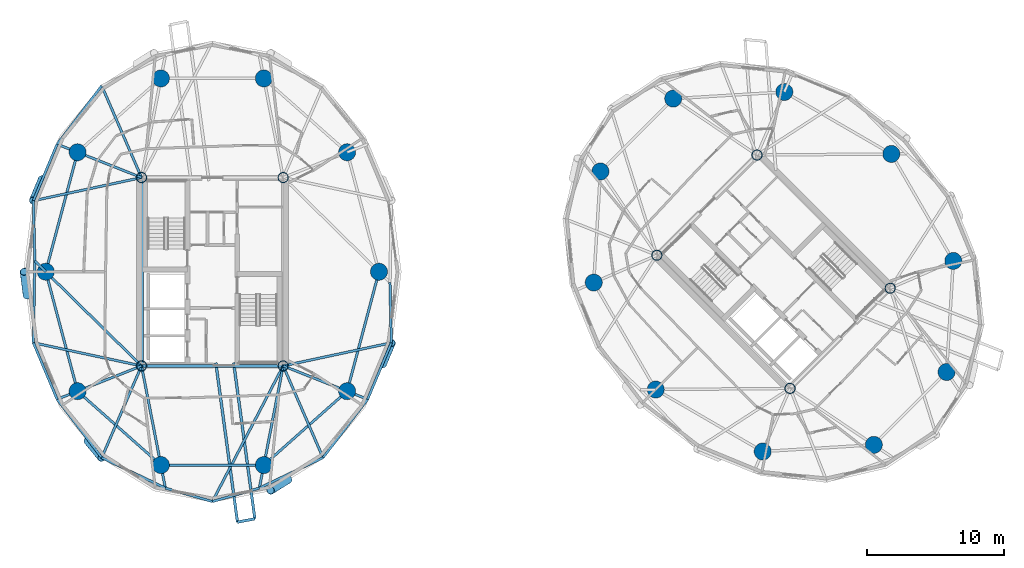
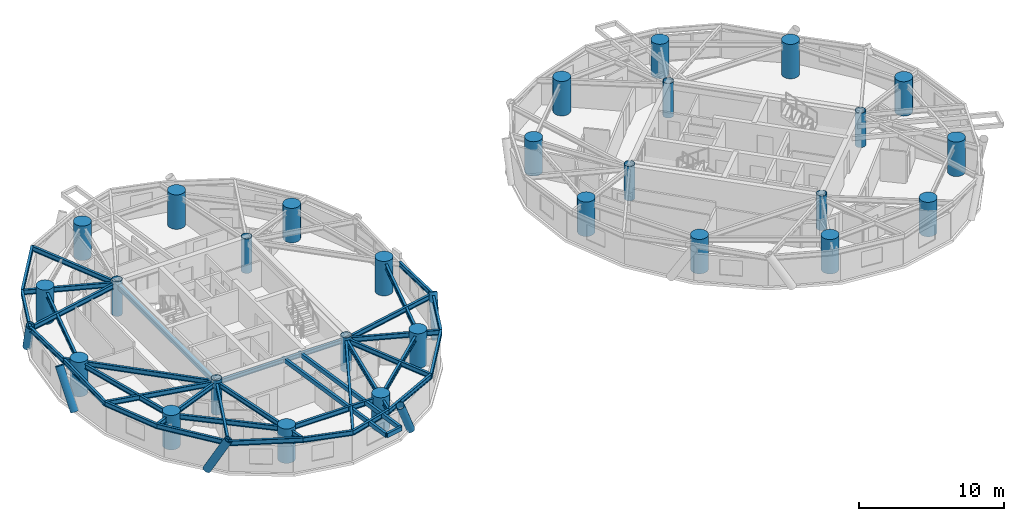
# One storey, part 1 of 17: 38 beams, 28 columns, 5 members.
"""IFC4 building model written with IfcOpenShell, lengths in metres."""

from ifc_helpers import new_model, si_unit, direction, frame, origin, origin_2d, place, context, subcontext, project, spatial, hollow_rectangle, circle, hollow_circle, i_section, extrude, material, material_profile, profile_set, type_object, element, save


model = new_model("IFC4")

# Units and contexts
model_context = context("Model", 3, precision=1e-05, world=origin(), true_north=direction((0.0, 1.0)))
body_context = subcontext(model_context, "Body", "Model", "MODEL_VIEW")
ifc_project = project(units=[si_unit("LENGTHUNIT", "METRE"), si_unit("AREAUNIT", "SQUARE_METRE"), si_unit("VOLUMEUNIT", "CUBIC_METRE"), si_unit("PLANEANGLEUNIT", "RADIAN"), si_unit("MASSUNIT", "GRAM", prefix="KILO")], contexts=[model_context])

# Site, building, storey
site_placement = place(None, origin())
site = spatial("IfcSite", under=ifc_project, at=site_placement, CompositionType="ELEMENT")
building_placement = place(site_placement, origin())
building = spatial("IfcBuilding", under=site, at=building_placement, Name="Cununo Teusaquillo Station Towers", CompositionType="ELEMENT")
storey_placement = place(building_placement, frame((0.0, 0.0, 183.610107421875)))
storey = spatial("IfcBuildingStorey", under=building, at=storey_placement, Name="L58", CompositionType="ELEMENT", Elevation=183.610107421875)

# Columns
ifc_material_1 = material(Name="Steel EN 10025-2 S355J2", Category="steel")
ifc_material_profile_1 = material_profile(ifc_material_1, hollow_circle(Radius=0.3798828125, WallThickness=0.031982421875, at=origin_2d()), Name="CHS 760x32")
ifc_profile_set_1 = profile_set([ifc_material_profile_1], Name="Steel EN 10025-2 S355J2")
column_type_1 = type_object("IfcColumnType", Name="COL-CORE-Z2", PredefinedType="COLUMN", material=ifc_profile_set_1)
for number, where, z_axis, x_axis, name in (
    (1, (11.324951171875, 17.6201171875, 0.0), (0.0, 0.0, 1.0), (1.0, 0.0, 0.0), "L58 Tower A Core Column 1"),
    (2, (11.324951171875, 31.3798828125, 0.0), (0.0, 0.0, 1.0), (1.0, 0.0, 0.0), "L58 Tower A Core Column 2"),
    (3, (21.675048828125, 17.6201171875, 0.0), (0.0, 0.0, 1.0), (1.0, 0.0, 0.0), "L58 Tower A Core Column 3"),
    (4, (21.675048828125, 31.3798828125, 0.0), (0.0, 0.0, 1.0), (1.0, 0.0, 0.0), "L58 Tower A Core Column 4"),
    (5, (58.70556640625, 15.975830078125, 0.0), (0.0, 0.0, 1.0), (0.707106781187, 0.707106781187, 0.0), "L58 Tower B Core Column 1"),
    (6, (48.975830078125, 25.70556640625, 0.0), (0.0, 0.0, 1.0), (0.707106781187, 0.707106781187, 0.0), "L58 Tower B Core Column 2"),
    (7, (66.024169921875, 23.29443359375, 0.0), (0.0, 0.0, 1.0), (0.707106781187, 0.707106781187, 0.0), "L58 Tower B Core Column 3"),
    (8, (56.29443359375, 33.024169921875, 0.0), (0.0, 0.0, 1.0), (0.707106781187, 0.707106781187, 0.0), "L58 Tower B Core Column 4"),
):
    element("IfcColumn", number, at=place(storey_placement, frame(where, z_axis=z_axis, x_axis=x_axis)), inside=storey, type_object=column_type_1, Name=name, PredefinedType="COLUMN", context=body_context, shape_type="SweptSolid", body=[
        extrude(hollow_circle(Radius=0.3798828125, WallThickness=0.031982421875, at=origin_2d()), origin(), (0.0, 0.0, 1.0), 2.909912109375),
    ])
ifc_material_2 = material(Name="Concrete C60/75", Category="concrete")
ifc_material_profile_2 = material_profile(ifc_material_2, circle(Radius=0.625, at=origin_2d()), Name="RC-CIRC-1250")
ifc_profile_set_2 = profile_set([ifc_material_profile_2], Name="Concrete C60/75")
column_type_2 = type_object("IfcColumnType", Name="COL-MEGA-Z3", PredefinedType="USERDEFINED", material=ifc_profile_set_2)
for number, where, z_axis, x_axis, name in (
    (9, (28.672119140625, 24.5, 0.0), (0.0, 0.0, 1.0), (1.0, 0.0, 0.0), "L58 Tower A Perimeter Column V00"),
    (10, (26.347412109375, 33.228515625, 0.0), (0.0, 0.0, 1.0), (1.0, 0.0, 0.0), "L58 Tower A Perimeter Column V02"),
    (11, (20.261474609375, 38.623291015625, 0.0), (0.0, 0.0, 1.0), (1.0, 0.0, 0.0), "L58 Tower A Perimeter Column V04"),
    (12, (12.738525390625, 38.623291015625, 0.0), (0.0, 0.0, 1.0), (1.0, 0.0, 0.0), "L58 Tower A Perimeter Column V06"),
    (13, (6.652587890625, 33.228515625, 0.0), (0.0, 0.0, 1.0), (1.0, 0.0, 0.0), "L58 Tower A Perimeter Column V08"),
    (14, (4.327880859375, 24.5, 0.0), (0.0, 0.0, 1.0), (1.0, 0.0, 0.0), "L58 Tower A Perimeter Column V10"),
    (15, (6.652587890625, 15.771484375, 0.0), (0.0, 0.0, 1.0), (1.0, 0.0, 0.0), "L58 Tower A Perimeter Column V12"),
    (16, (12.738525390625, 10.376708984375, 0.0), (0.0, 0.0, 1.0), (1.0, 0.0, 0.0), "L58 Tower A Perimeter Column V14"),
    (17, (20.261474609375, 10.376708984375, 0.0), (0.0, 0.0, 1.0), (1.0, 0.0, 0.0), "L58 Tower A Perimeter Column V16"),
    (18, (26.347412109375, 15.771484375, 0.0), (0.0, 0.0, 1.0), (1.0, 0.0, 0.0), "L58 Tower A Perimeter Column V18"),
    (19, (66.10693359375, 33.10693359375, 0.0), (0.0, 0.0, 1.0), (1.0, 0.0, 0.0), "L58 Tower B Perimeter Column V00"),
    (20, (58.291015625, 37.63525390625, 0.0), (0.0, 0.0, 1.0), (1.0, 0.0, 0.0), "L58 Tower B Perimeter Column V02"),
    (21, (50.173095703125, 37.146240234375, 0.0), (0.0, 0.0, 1.0), (1.0, 0.0, 0.0), "L58 Tower B Perimeter Column V04"),
    (22, (44.853759765625, 31.826904296875, 0.0), (0.0, 0.0, 1.0), (1.0, 0.0, 0.0), "L58 Tower B Perimeter Column V06"),
    (23, (44.36474609375, 23.708984375, 0.0), (0.0, 0.0, 1.0), (1.0, 0.0, 0.0), "L58 Tower B Perimeter Column V08"),
    (24, (48.89306640625, 15.89306640625, 0.0), (0.0, 0.0, 1.0), (1.0, 0.0, 0.0), "L58 Tower B Perimeter Column V10"),
    (25, (56.708984375, 11.36474609375, 0.0), (0.0, 0.0, 1.0), (1.0, 0.0, 0.0), "L58 Tower B Perimeter Column V12"),
    (26, (64.826904296875, 11.853759765625, 0.0), (0.0, 0.0, 1.0), (1.0, 0.0, 0.0), "L58 Tower B Perimeter Column V14"),
    (27, (70.146240234375, 17.173095703125, 0.0), (0.0, 0.0, 1.0), (1.0, 0.0, 0.0), "L58 Tower B Perimeter Column V16"),
    (28, (70.63525390625, 25.291015625, 0.0), (0.0, 0.0, 1.0), (1.0, 0.0, 0.0), "L58 Tower B Perimeter Column V18"),
):
    element("IfcColumn", number, at=place(storey_placement, frame(where, z_axis=z_axis, x_axis=x_axis)), inside=storey, type_object=column_type_2, Name=name, ObjectType="MEGA COLUMN", PredefinedType="USERDEFINED", context=body_context, shape_type="SweptSolid", body=[
        extrude(circle(Radius=0.625, at=origin_2d()), origin(), (0.0, 0.0, 1.0), 2.909912109375),
    ])

# Beams
ifc_material_3 = material(Name="Steel EN 10025-2 S355J2", Category="steel")
ifc_material_profile_3 = material_profile(ifc_material_3, hollow_rectangle(XDim=0.199951171875, YDim=0.35009765625, WallThickness=0.013916015625, at=origin_2d()), Name="RHS 350x200x14")
ifc_profile_set_3 = profile_set([ifc_material_profile_3], Name="Steel EN 10025-2 S355J2")
beam_type_1 = type_object("IfcBeamType", Name="BM-BAL-CANT", PredefinedType="BEAM", material=ifc_profile_set_3)
beam_1_placement = place(storey_placement, frame((16.751953125, 17.85009765625, 2.514892578125), z_axis=(0.134615370715, -0.990897927118, 0.0), x_axis=(0.990897927118, 0.134615370715, 0.0)))
element("IfcBeam", 29, at=beam_1_placement, inside=storey, type_object=beam_type_1, Name="L58 Tower A Balcony Cantilever Bracket 2A", PredefinedType="BEAM", context=body_context, shape_type="SweptSolid", body=[
    extrude(hollow_rectangle(XDim=0.199951171875, YDim=0.35009765625, WallThickness=0.013916015625, at=origin_2d()), origin(), (0.0, 0.0, 1.0), 11.752197265625),
])
beam_2_placement = place(storey_placement, frame((18.05517578125, 17.85009765625, 2.514892578125), z_axis=(0.134626438315, -0.990896423501, 0.0), x_axis=(0.990896423501, 0.134626438315, 0.0)))
element("IfcBeam", 30, at=beam_2_placement, inside=storey, type_object=beam_type_1, Name="L58 Tower A Balcony Cantilever Bracket 2B", PredefinedType="BEAM", context=body_context, shape_type="SweptSolid", body=[
    extrude(hollow_rectangle(XDim=0.199951171875, YDim=0.35009765625, WallThickness=0.013916015625, at=origin_2d()), origin(), (0.0, 0.0, 1.0), 11.504638671875),
])
ifc_material_4 = material(Name="Steel EN 10025-2 S355J2", Category="steel")
ifc_material_profile_4 = material_profile(ifc_material_4, hollow_rectangle(XDim=0.25, YDim=0.449951171875, WallThickness=0.01611328125, at=origin_2d()), Name="RHS 450x250x16")
ifc_profile_set_4 = profile_set([ifc_material_profile_4], Name="Steel EN 10025-2 S355J2")
beam_type_2 = type_object("IfcBeamType", Name="BM-COUP-1", PredefinedType="USERDEFINED", material=ifc_profile_set_4)
beam_3_placement = place(storey_placement, frame((11.324951171875, 17.6201171875, 2.46484375), z_axis=(0.0, 1.0, 0.0), x_axis=(-1.0, 0.0, 0.0)))
element("IfcBeam", 31, at=beam_3_placement, inside=storey, type_object=beam_type_2, Name="L58 Tower A Core Beam 1", ObjectType="COUPLING BEAM", PredefinedType="USERDEFINED", context=body_context, shape_type="SweptSolid", body=[
    extrude(hollow_rectangle(XDim=0.25, YDim=0.449951171875, WallThickness=0.01611328125, at=origin_2d()), origin(), (0.0, 0.0, 1.0), 13.759765625),
])
ifc_material_5 = material(Name="Steel ASTM A572 Grade 50", Category="steel")
ifc_material_profile_5 = material_profile(ifc_material_5, i_section(OverallWidth=0.180908203125, OverallDepth=0.4169921875, WebThickness=0.010986328125, FlangeThickness=0.018310546875, FilletRadius=0.012939453125, at=origin_2d()), Name="W16X57")
ifc_profile_set_5 = profile_set([ifc_material_profile_5], Name="Steel ASTM A572 Grade 50")
beam_type_3 = type_object("IfcBeamType", Name="BM-JOIST-1", PredefinedType="JOIST", material=ifc_profile_set_5)
beam_4_placement = place(storey_placement, frame((11.324951171875, 31.3798828125, 2.4814453125), z_axis=(-0.397903718051, 0.917427180304, 0.0), x_axis=(-0.917427180304, -0.397903718051, 0.0)))
element("IfcBeam", 32, at=beam_4_placement, inside=storey, type_object=beam_type_3, Name="L58 Tower A Radial Spandrel Joist V07", PredefinedType="JOIST", context=body_context, shape_type="SweptSolid", body=[
    extrude(i_section(OverallWidth=0.180908203125, OverallDepth=0.4169921875, WebThickness=0.010986328125, FlangeThickness=0.018310546875, FilletRadius=0.012939453125, at=origin_2d()), origin(), (0.0, 0.0, 1.0), 7.306884765625),
])
for number, where, z_axis, x_axis, name in (
    (33, (11.324951171875, 31.3798828125, 2.4814453125), (-0.977854548984, -0.209285644589, 0.0), (0.209285644589, -0.977854548984, 0.0), "L58 Tower A Radial Spandrel Joist V09"),
    (34, (11.324951171875, 17.6201171875, 2.4814453125), (-0.977854548984, 0.209285644589, 0.0), (-0.209285644589, -0.977854548984, 0.0), "L58 Tower A Radial Spandrel Joist V11"),
):
    element("IfcBeam", number, at=place(storey_placement, frame(where, z_axis=z_axis, x_axis=x_axis)), inside=storey, type_object=beam_type_3, Name=name, PredefinedType="JOIST", context=body_context, shape_type="SweptSolid", body=[
        extrude(i_section(OverallWidth=0.180908203125, OverallDepth=0.4169921875, WebThickness=0.010986328125, FlangeThickness=0.018310546875, FilletRadius=0.012939453125, at=origin_2d()), origin(), (0.0, 0.0, 1.0), 8.081787109375),
    ])
beam_5_placement = place(storey_placement, frame((11.324951171875, 17.6201171875, 2.4814453125), z_axis=(-0.397903718051, -0.917427180304, 0.0), x_axis=(0.917427180304, -0.397903718051, 0.0)))
element("IfcBeam", 35, at=beam_5_placement, inside=storey, type_object=beam_type_3, Name="L58 Tower A Radial Spandrel Joist V13", PredefinedType="JOIST", context=body_context, shape_type="SweptSolid", body=[
    extrude(i_section(OverallWidth=0.180908203125, OverallDepth=0.4169921875, WebThickness=0.010986328125, FlangeThickness=0.018310546875, FilletRadius=0.012939453125, at=origin_2d()), origin(), (0.0, 0.0, 1.0), 7.306884765625),
])
beam_6_placement = place(storey_placement, frame((21.675048828125, 17.6201171875, 2.4814453125), z_axis=(-0.462884645231, -0.886418527113, 0.0), x_axis=(0.886418527113, -0.462884645231, 0.0)))
element("IfcBeam", 36, at=beam_6_placement, inside=storey, type_object=beam_type_3, Name="L58 Tower A Radial Spandrel Joist V15", PredefinedType="JOIST", context=body_context, shape_type="SweptSolid", body=[
    extrude(i_section(OverallWidth=0.180908203125, OverallDepth=0.4169921875, WebThickness=0.010986328125, FlangeThickness=0.018310546875, FilletRadius=0.012939453125, at=origin_2d()), origin(), (0.0, 0.0, 1.0), 11.179931640625),
])
beam_7_placement = place(storey_placement, frame((21.675048828125, 17.6201171875, 2.4814453125), z_axis=(0.397903718051, -0.917427180304, 0.0), x_axis=(0.917427180304, 0.397903718051, 0.0)))
element("IfcBeam", 37, at=beam_7_placement, inside=storey, type_object=beam_type_3, Name="L58 Tower A Radial Spandrel Joist V17", PredefinedType="JOIST", context=body_context, shape_type="SweptSolid", body=[
    extrude(i_section(OverallWidth=0.180908203125, OverallDepth=0.4169921875, WebThickness=0.010986328125, FlangeThickness=0.018310546875, FilletRadius=0.012939453125, at=origin_2d()), origin(), (0.0, 0.0, 1.0), 7.306884765625),
])
beam_8_placement = place(storey_placement, frame((21.675048828125, 17.6201171875, 2.4814453125), z_axis=(0.977854548984, 0.209285644589, 0.0), x_axis=(-0.209285644589, 0.977854548984, 0.0)))
element("IfcBeam", 38, at=beam_8_placement, inside=storey, type_object=beam_type_3, Name="L58 Tower A Radial Spandrel Joist V19", PredefinedType="JOIST", context=body_context, shape_type="SweptSolid", body=[
    extrude(i_section(OverallWidth=0.180908203125, OverallDepth=0.4169921875, WebThickness=0.010986328125, FlangeThickness=0.018310546875, FilletRadius=0.012939453125, at=origin_2d()), origin(), (0.0, 0.0, 1.0), 8.081787109375),
])
ifc_material_6 = material(Name="Steel ASTM A572 Grade 50", Category="steel")
ifc_material_profile_6 = material_profile(ifc_material_6, i_section(OverallWidth=0.2041015625, OverallDepth=0.35009765625, WebThickness=0.008544921875, FlangeThickness=0.01513671875, FilletRadius=0.011962890625, at=origin_2d()), Name="W14X48")
ifc_profile_set_6 = profile_set([ifc_material_profile_6], Name="Steel ASTM A572 Grade 50")
beam_type_4 = type_object("IfcBeamType", Name="BM-LINTEL-1", PredefinedType="LINTEL", material=ifc_profile_set_6)
beam_9_placement = place(storey_placement, frame((11.324951171875, 17.6201171875, 2.514892578125), z_axis=(1.0, 0.0, 0.0), x_axis=(0.0, 1.0, 0.0)))
element("IfcBeam", 39, at=beam_9_placement, inside=storey, type_object=beam_type_4, Name="L58 Tower A Core Beam 3", PredefinedType="LINTEL", context=body_context, shape_type="SweptSolid", body=[
    extrude(i_section(OverallWidth=0.2041015625, OverallDepth=0.35009765625, WebThickness=0.008544921875, FlangeThickness=0.01513671875, FilletRadius=0.011962890625, at=origin_2d()), origin(), (0.0, 0.0, 1.0), 10.35009765625),
])
ifc_material_7 = material(Name="Steel ASTM A572 Grade 50", Category="steel")
ifc_material_profile_7 = material_profile(ifc_material_7, i_section(OverallWidth=0.180908203125, OverallDepth=0.4169921875, WebThickness=0.010986328125, FlangeThickness=0.018310546875, FilletRadius=0.012939453125, at=origin_2d()), Name="W16X57")
ifc_profile_set_7 = profile_set([ifc_material_profile_7], Name="Steel ASTM A572 Grade 50")
beam_type_5 = type_object("IfcBeamType", Name="BM-RAD-G2", PredefinedType="BEAM", material=ifc_profile_set_7)
beam_10_placement = place(storey_placement, frame((11.324951171875, 31.3798828125, 2.4814453125), z_axis=(-0.929866438974, 0.367897275974, 0.0), x_axis=(-0.367897275974, -0.929866438974, 0.0)))
element("IfcBeam", 40, at=beam_10_placement, inside=storey, type_object=beam_type_5, Name="L58 Tower A Continuous Overhanging Radial Girder 05", PredefinedType="BEAM", context=body_context, shape_type="SweptSolid", body=[
    extrude(i_section(OverallWidth=0.180908203125, OverallDepth=0.4169921875, WebThickness=0.010986328125, FlangeThickness=0.018310546875, FilletRadius=0.012939453125, at=origin_2d()), origin(), (0.0, 0.0, 1.0), 6.632080078125),
])
beam_11_placement = place(storey_placement, frame((11.324951171875, 17.6201171875, 2.4814453125), z_axis=(-0.713052701438, 0.701110437073, 0.0), x_axis=(-0.701110437073, -0.713052701438, 0.0)))
element("IfcBeam", 41, at=beam_11_placement, inside=storey, type_object=beam_type_5, Name="L58 Tower A Radial Girder 06A", PredefinedType="BEAM", context=body_context, shape_type="SweptSolid", body=[
    extrude(i_section(OverallWidth=0.180908203125, OverallDepth=0.4169921875, WebThickness=0.010986328125, FlangeThickness=0.018310546875, FilletRadius=0.012939453125, at=origin_2d()), origin(), (0.0, 0.0, 1.0), 9.812744140625),
])
beam_12_placement = place(storey_placement, frame((4.327880859375, 24.5, 2.4814453125), z_axis=(-0.713045362701, 0.701117900734, 0.0), x_axis=(-0.701117900734, -0.713045362701, 0.0)))
element("IfcBeam", 42, at=beam_12_placement, inside=storey, type_object=beam_type_5, Name="L58 Tower A Perimeter Overhang Girder 06B", PredefinedType="BEAM", context=body_context, shape_type="SweptSolid", body=[
    extrude(i_section(OverallWidth=0.180908203125, OverallDepth=0.4169921875, WebThickness=0.010986328125, FlangeThickness=0.018310546875, FilletRadius=0.012939453125, at=origin_2d()), origin(), (0.0, 0.0, 1.0), 1.125732421875),
])
beam_13_placement = place(storey_placement, frame((11.324951171875, 17.6201171875, 2.4814453125), z_axis=(-0.929866438974, -0.367897275974, 0.0), x_axis=(0.367897275974, -0.929866438974, 0.0)))
element("IfcBeam", 43, at=beam_13_placement, inside=storey, type_object=beam_type_5, Name="L58 Tower A Continuous Overhanging Radial Girder 07", PredefinedType="BEAM", context=body_context, shape_type="SweptSolid", body=[
    extrude(i_section(OverallWidth=0.180908203125, OverallDepth=0.4169921875, WebThickness=0.010986328125, FlangeThickness=0.018310546875, FilletRadius=0.012939453125, at=origin_2d()), origin(), (0.0, 0.0, 1.0), 6.632080078125),
])
for number, where, z_axis, x_axis, name in (
    (44, (11.324951171875, 17.6201171875, 2.4814453125), (0.191557018874, -0.981481486591, 0.0), (0.981481486591, 0.191557018874, 0.0), "L58 Tower A Continuous Overhanging Radial Girder 08"),
    (45, (21.675048828125, 17.6201171875, 2.4814453125), (-0.191557018874, -0.981481486591, 0.0), (0.981481486591, -0.191557018874, 0.0), "L58 Tower A Continuous Overhanging Radial Girder 09"),
):
    element("IfcBeam", number, at=place(storey_placement, frame(where, z_axis=z_axis, x_axis=x_axis)), inside=storey, type_object=beam_type_5, Name=name, PredefinedType="BEAM", context=body_context, shape_type="SweptSolid", body=[
        extrude(i_section(OverallWidth=0.180908203125, OverallDepth=0.4169921875, WebThickness=0.010986328125, FlangeThickness=0.018310546875, FilletRadius=0.012939453125, at=origin_2d()), origin(), (0.0, 0.0, 1.0), 9.097412109375),
    ])
beam_14_placement = place(storey_placement, frame((21.675048828125, 17.6201171875, 2.4814453125), z_axis=(0.929866438974, -0.367897275974, 0.0), x_axis=(0.367897275974, 0.929866438974, 0.0)))
element("IfcBeam", 46, at=beam_14_placement, inside=storey, type_object=beam_type_5, Name="L58 Tower A Continuous Overhanging Radial Girder 10", PredefinedType="BEAM", context=body_context, shape_type="SweptSolid", body=[
    extrude(i_section(OverallWidth=0.180908203125, OverallDepth=0.4169921875, WebThickness=0.010986328125, FlangeThickness=0.018310546875, FilletRadius=0.012939453125, at=origin_2d()), origin(), (0.0, 0.0, 1.0), 6.632080078125),
])
ifc_material_8 = material(Name="Steel ASTM A572 Grade 50", Category="steel")
ifc_material_profile_8 = material_profile(ifc_material_8, i_section(OverallWidth=0.180908203125, OverallDepth=0.4169921875, WebThickness=0.010986328125, FlangeThickness=0.018310546875, FilletRadius=0.012939453125, at=origin_2d()), Name="W16X57")
ifc_profile_set_8 = profile_set([ifc_material_profile_8], Name="Steel ASTM A572 Grade 50")
beam_type_6 = type_object("IfcBeamType", Name="BM-RING-Z3", PredefinedType="SPANDREL", material=ifc_profile_set_8)
for number, where, z_axis, x_axis, name in (
    (47, (6.652587890625, 33.228515625, 2.4814453125), (-0.257363196347, -0.966314744359, 0.0), (0.966314744359, -0.257363196347, 0.0), "L58 Tower A Structural Column Ring Girder 05"),
    (48, (4.327880859375, 24.5, 2.4814453125), (0.257363196347, -0.966314744359, 0.0), (0.966314744359, 0.257363196347, 0.0), "L58 Tower A Structural Column Ring Girder 06"),
):
    element("IfcBeam", number, at=place(storey_placement, frame(where, z_axis=z_axis, x_axis=x_axis)), inside=storey, type_object=beam_type_6, Name=name, PredefinedType="SPANDREL", context=body_context, shape_type="SweptSolid", body=[
        extrude(i_section(OverallWidth=0.180908203125, OverallDepth=0.4169921875, WebThickness=0.010986328125, FlangeThickness=0.018310546875, FilletRadius=0.012939453125, at=origin_2d()), origin(), (0.0, 0.0, 1.0), 9.03271484375),
    ])
beam_15_placement = place(storey_placement, frame((6.652587890625, 15.771484375, 2.4814453125), z_axis=(0.74832120039, -0.66333655187, 0.0), x_axis=(0.66333655187, 0.74832120039, 0.0)))
element("IfcBeam", 49, at=beam_15_placement, inside=storey, type_object=beam_type_6, Name="L58 Tower A Structural Column Ring Girder 07", PredefinedType="SPANDREL", context=body_context, shape_type="SweptSolid", body=[
    extrude(i_section(OverallWidth=0.180908203125, OverallDepth=0.4169921875, WebThickness=0.010986328125, FlangeThickness=0.018310546875, FilletRadius=0.012939453125, at=origin_2d()), origin(), (0.0, 0.0, 1.0), 8.1328125),
])
beam_16_placement = place(storey_placement, frame((12.738525390625, 10.376708984375, 2.4814453125), z_axis=(1.0, 0.0, 0.0), x_axis=(0.0, 1.0, 0.0)))
element("IfcBeam", 50, at=beam_16_placement, inside=storey, type_object=beam_type_6, Name="L58 Tower A Structural Column Ring Girder 08", PredefinedType="SPANDREL", context=body_context, shape_type="SweptSolid", body=[
    extrude(i_section(OverallWidth=0.180908203125, OverallDepth=0.4169921875, WebThickness=0.010986328125, FlangeThickness=0.018310546875, FilletRadius=0.012939453125, at=origin_2d()), origin(), (0.0, 0.0, 1.0), 7.52294921875),
])
beam_17_placement = place(storey_placement, frame((20.261474609375, 10.376708984375, 2.4814453125), z_axis=(0.74832120039, 0.66333655187, 0.0), x_axis=(-0.66333655187, 0.74832120039, 0.0)))
element("IfcBeam", 51, at=beam_17_placement, inside=storey, type_object=beam_type_6, Name="L58 Tower A Structural Column Ring Girder 09", PredefinedType="SPANDREL", context=body_context, shape_type="SweptSolid", body=[
    extrude(i_section(OverallWidth=0.180908203125, OverallDepth=0.4169921875, WebThickness=0.010986328125, FlangeThickness=0.018310546875, FilletRadius=0.012939453125, at=origin_2d()), origin(), (0.0, 0.0, 1.0), 8.1328125),
])
beam_18_placement = place(storey_placement, frame((26.347412109375, 15.771484375, 2.4814453125), z_axis=(0.257363196347, 0.966314744359, 0.0), x_axis=(-0.966314744359, 0.257363196347, 0.0)))
element("IfcBeam", 52, at=beam_18_placement, inside=storey, type_object=beam_type_6, Name="L58 Tower A Structural Column Ring Girder 10", PredefinedType="SPANDREL", context=body_context, shape_type="SweptSolid", body=[
    extrude(i_section(OverallWidth=0.180908203125, OverallDepth=0.4169921875, WebThickness=0.010986328125, FlangeThickness=0.018310546875, FilletRadius=0.012939453125, at=origin_2d()), origin(), (0.0, 0.0, 1.0), 9.03271484375),
])
beam_19_placement = place(storey_placement, frame((8.41748046875, 38.08349609375, 2.4814453125), z_axis=(-0.607340349092, -0.794441753916, 0.0), x_axis=(0.794441753916, -0.607340349092, 0.0)))
element("IfcBeam", 53, at=beam_19_placement, inside=storey, type_object=beam_type_6, Name="L58 Tower A Spandrel Ring Beam 08", PredefinedType="SPANDREL", context=body_context, shape_type="SweptSolid", body=[
    extrude(i_section(OverallWidth=0.180908203125, OverallDepth=0.4169921875, WebThickness=0.010986328125, FlangeThickness=0.018310546875, FilletRadius=0.012939453125, at=origin_2d()), origin(), (0.0, 0.0, 1.0), 5.366943359375),
])
beam_20_placement = place(storey_placement, frame((5.157958984375, 33.81982421875, 2.4814453125), z_axis=(-0.387360300858, -0.921928412253, 0.0), x_axis=(0.921928412253, -0.387360300858, 0.0)))
element("IfcBeam", 54, at=beam_20_placement, inside=storey, type_object=beam_type_6, Name="L58 Tower A Spandrel Ring Beam 09", PredefinedType="SPANDREL", context=body_context, shape_type="SweptSolid", body=[
    extrude(i_section(OverallWidth=0.180908203125, OverallDepth=0.4169921875, WebThickness=0.010986328125, FlangeThickness=0.018310546875, FilletRadius=0.012939453125, at=origin_2d()), origin(), (0.0, 0.0, 1.0), 4.481201171875),
])
beam_21_placement = place(storey_placement, frame((3.422119140625, 29.6884765625, 2.4814453125), z_axis=(0.0234133036, -0.999725871034, 0.0), x_axis=(0.999725871034, 0.0234133036, 0.0)))
element("IfcBeam", 55, at=beam_21_placement, inside=storey, type_object=beam_type_6, Name="L58 Tower A Spandrel Ring Beam 10", PredefinedType="SPANDREL", context=body_context, shape_type="SweptSolid", body=[
    extrude(i_section(OverallWidth=0.180908203125, OverallDepth=0.4169921875, WebThickness=0.010986328125, FlangeThickness=0.018310546875, FilletRadius=0.012939453125, at=origin_2d()), origin(), (0.0, 0.0, 1.0), 4.400390625),
])
beam_22_placement = place(storey_placement, frame((3.525146484375, 25.289306640625, 2.4814453125), z_axis=(-0.017232482627, -0.999851509747, 0.0), x_axis=(0.999851509747, -0.017232482627, 0.0)))
element("IfcBeam", 56, at=beam_22_placement, inside=storey, type_object=beam_type_6, Name="L58 Tower A Spandrel Ring Beam 11", PredefinedType="SPANDREL", context=body_context, shape_type="SweptSolid", body=[
    extrude(i_section(OverallWidth=0.180908203125, OverallDepth=0.4169921875, WebThickness=0.010986328125, FlangeThickness=0.018310546875, FilletRadius=0.012939453125, at=origin_2d()), origin(), (0.0, 0.0, 1.0), 5.978759765625),
])
beam_23_placement = place(storey_placement, frame((3.422119140625, 19.3115234375, 2.4814453125), z_axis=(0.387360300858, -0.921928412253, 0.0), x_axis=(0.921928412253, 0.387360300858, 0.0)))
element("IfcBeam", 57, at=beam_23_placement, inside=storey, type_object=beam_type_6, Name="L58 Tower A Spandrel Ring Beam 12", PredefinedType="SPANDREL", context=body_context, shape_type="SweptSolid", body=[
    extrude(i_section(OverallWidth=0.180908203125, OverallDepth=0.4169921875, WebThickness=0.010986328125, FlangeThickness=0.018310546875, FilletRadius=0.012939453125, at=origin_2d()), origin(), (0.0, 0.0, 1.0), 4.481201171875),
])
beam_24_placement = place(storey_placement, frame((5.157958984375, 15.18017578125, 2.4814453125), z_axis=(0.607340349092, -0.794441753916, 0.0), x_axis=(0.794441753916, 0.607340349092, 0.0)))
element("IfcBeam", 58, at=beam_24_placement, inside=storey, type_object=beam_type_6, Name="L58 Tower A Spandrel Ring Beam 13", PredefinedType="SPANDREL", context=body_context, shape_type="SweptSolid", body=[
    extrude(i_section(OverallWidth=0.180908203125, OverallDepth=0.4169921875, WebThickness=0.010986328125, FlangeThickness=0.018310546875, FilletRadius=0.012939453125, at=origin_2d()), origin(), (0.0, 0.0, 1.0), 5.366943359375),
])
beam_25_placement = place(storey_placement, frame((8.41748046875, 10.91650390625, 2.4814453125), z_axis=(0.902031610991, -0.431669981319, 0.0), x_axis=(0.431669981319, 0.902031610991, 0.0)))
element("IfcBeam", 59, at=beam_25_placement, inside=storey, type_object=beam_type_6, Name="L58 Tower A Spandrel Ring Beam 14", PredefinedType="SPANDREL", context=body_context, shape_type="SweptSolid", body=[
    extrude(i_section(OverallWidth=0.180908203125, OverallDepth=0.4169921875, WebThickness=0.010986328125, FlangeThickness=0.018310546875, FilletRadius=0.012939453125, at=origin_2d()), origin(), (0.0, 0.0, 1.0), 5.1552734375),
])
for number, where, z_axis, x_axis, name in (
    (60, (13.067626953125, 8.691162109375, 2.4814453125), (0.961485227168, -0.274856613414, 0.0), (0.274856613414, 0.961485227168, 0.0), "L58 Tower A Spandrel Ring Beam 15"),
    (61, (16.5, 7.7099609375, 2.4814453125), (0.961485227168, 0.274856613414, 0.0), (-0.274856613414, 0.961485227168, 0.0), "L58 Tower A Spandrel Ring Beam 16"),
):
    element("IfcBeam", number, at=place(storey_placement, frame(where, z_axis=z_axis, x_axis=x_axis)), inside=storey, type_object=beam_type_6, Name=name, PredefinedType="SPANDREL", context=body_context, shape_type="SweptSolid", body=[
        extrude(i_section(OverallWidth=0.180908203125, OverallDepth=0.4169921875, WebThickness=0.010986328125, FlangeThickness=0.018310546875, FilletRadius=0.012939453125, at=origin_2d()), origin(), (0.0, 0.0, 1.0), 3.56982421875),
    ])
beam_26_placement = place(storey_placement, frame((19.932373046875, 8.691162109375, 2.4814453125), z_axis=(0.902031610991, 0.431669981319, 0.0), x_axis=(-0.431669981319, 0.902031610991, 0.0)))
element("IfcBeam", 62, at=beam_26_placement, inside=storey, type_object=beam_type_6, Name="L58 Tower A Spandrel Ring Beam 17", PredefinedType="SPANDREL", context=body_context, shape_type="SweptSolid", body=[
    extrude(i_section(OverallWidth=0.180908203125, OverallDepth=0.4169921875, WebThickness=0.010986328125, FlangeThickness=0.018310546875, FilletRadius=0.012939453125, at=origin_2d()), origin(), (0.0, 0.0, 1.0), 5.1552734375),
])
beam_27_placement = place(storey_placement, frame((24.58251953125, 10.91650390625, 2.4814453125), z_axis=(0.607340349092, 0.794441753916, 0.0), x_axis=(-0.794441753916, 0.607340349092, 0.0)))
element("IfcBeam", 63, at=beam_27_placement, inside=storey, type_object=beam_type_6, Name="L58 Tower A Spandrel Ring Beam 18", PredefinedType="SPANDREL", context=body_context, shape_type="SweptSolid", body=[
    extrude(i_section(OverallWidth=0.180908203125, OverallDepth=0.4169921875, WebThickness=0.010986328125, FlangeThickness=0.018310546875, FilletRadius=0.012939453125, at=origin_2d()), origin(), (0.0, 0.0, 1.0), 5.366943359375),
])
beam_28_placement = place(storey_placement, frame((27.842041015625, 15.18017578125, 2.4814453125), z_axis=(0.387360300858, 0.921928412253, 0.0), x_axis=(-0.921928412253, 0.387360300858, 0.0)))
element("IfcBeam", 64, at=beam_28_placement, inside=storey, type_object=beam_type_6, Name="L58 Tower A Spandrel Ring Beam 19", PredefinedType="SPANDREL", context=body_context, shape_type="SweptSolid", body=[
    extrude(i_section(OverallWidth=0.180908203125, OverallDepth=0.4169921875, WebThickness=0.010986328125, FlangeThickness=0.018310546875, FilletRadius=0.012939453125, at=origin_2d()), origin(), (0.0, 0.0, 1.0), 4.481201171875),
])
beam_29_placement = place(storey_placement, frame((29.577880859375, 19.3115234375, 2.4814453125), z_axis=(-0.0234133036, 0.999725871034, 0.0), x_axis=(-0.999725871034, -0.0234133036, 0.0)))
element("IfcBeam", 65, at=beam_29_placement, inside=storey, type_object=beam_type_6, Name="L58 Tower A Spandrel Ring Beam 20", PredefinedType="SPANDREL", context=body_context, shape_type="SweptSolid", body=[
    extrude(i_section(OverallWidth=0.180908203125, OverallDepth=0.4169921875, WebThickness=0.010986328125, FlangeThickness=0.018310546875, FilletRadius=0.012939453125, at=origin_2d()), origin(), (0.0, 0.0, 1.0), 4.400390625),
])
ifc_material_9 = material(Name="Steel EN 10025-2 S355J2", Category="steel")
ifc_material_profile_9 = material_profile(ifc_material_9, hollow_rectangle(XDim=0.199951171875, YDim=0.35009765625, WallThickness=0.013916015625, at=origin_2d()), Name="RHS 350x200x14")
ifc_profile_set_9 = profile_set([ifc_material_profile_9], Name="Steel EN 10025-2 S355J2")
beam_type_7 = type_object("IfcBeamType", Name="BM-STAIR-TRIM", PredefinedType="BEAM", material=ifc_profile_set_9)
beam_30_placement = place(storey_placement, frame((18.333984375, 6.204833984375, 2.52490234375), z_axis=(0.981844538169, 0.189687381942, 0.0), x_axis=(-0.189687381942, 0.981844538169, 0.0)))
element("IfcBeam", 66, at=beam_30_placement, inside=storey, type_object=beam_type_7, Name="L58 Tower A Balcony Edge Trimmer Beam 2", PredefinedType="BEAM", context=body_context, shape_type="SweptSolid", body=[
    extrude(hollow_rectangle(XDim=0.199951171875, YDim=0.35009765625, WallThickness=0.013916015625, at=origin_2d()), origin(), (0.0, 0.0, 1.0), 1.29345703125),
])

# Members
ifc_material_10 = material(Name="Steel EN 10025-2 S355J2", Category="steel")
ifc_material_profile_10 = material_profile(ifc_material_10, hollow_circle(Radius=0.304931640625, WallThickness=0.02001953125, at=origin_2d()), Name="CHS 610x20")
ifc_profile_set_10 = profile_set([ifc_material_profile_10], Name="Steel EN 10025-2 S355J2")
member_type = type_object("IfcMemberType", Name="MBR-DIAG-Z3", PredefinedType="BRACE", material=ifc_profile_set_10)
member_1_placement = place(storey_placement, frame((4.072998046875, 31.24853515625, -0.14013671875), z_axis=(-0.193410839883, -0.463576619225, 0.864690097737), x_axis=(0.922897355367, -0.38504606407, 0.0)))
element("IfcMember", 67, at=member_1_placement, inside=storey, type_object=member_type, Name="L58 Tower A Folded-Zigzag Diagrid Tube C08", PredefinedType="BRACE", context=body_context, shape_type="SweptSolid", body=[
    extrude(hollow_circle(Radius=0.304931640625, WallThickness=0.02001953125, at=origin_2d()), origin(), (0.0, 0.0, 1.0), 3.365234375),
])
member_2_placement = place(storey_placement, frame((2.973388671875, 22.7705078125, -0.14013671875), z_axis=(-0.066135618578, 0.509798391741, 0.857748028114), x_axis=(-0.991689942952, -0.128650911572, 0.0)))
element("IfcMember", 68, at=member_2_placement, inside=storey, type_object=member_type, Name="L58 Tower A Folded-Zigzag Diagrid Tube C10", PredefinedType="BRACE", context=body_context, shape_type="SweptSolid", body=[
    extrude(hollow_circle(Radius=0.304931640625, WallThickness=0.02001953125, at=origin_2d()), origin(), (0.0, 0.0, 1.0), 3.392578125),
])
member_3_placement = place(storey_placement, frame((7.4033203125, 12.15478515625, -0.14013671875), z_axis=(0.305372286435, -0.372857062301, 0.876199393842), x_axis=(0.773644588877, 0.633619799329, 0.0)))
element("IfcMember", 69, at=member_3_placement, inside=storey, type_object=member_type, Name="L58 Tower A Folded-Zigzag Diagrid Tube C12", PredefinedType="BRACE", context=body_context, shape_type="SweptSolid", body=[
    extrude(hollow_circle(Radius=0.304931640625, WallThickness=0.02001953125, at=origin_2d()), origin(), (0.0, 0.0, 1.0), 3.321044921875),
])
member_4_placement = place(storey_placement, frame((22.027099609375, 9.32666015625, -0.14013671875), z_axis=(-0.390055565185, -0.24264824613, 0.888244608606), x_axis=(0.528218719344, -0.849108346758, 0.0)))
element("IfcMember", 70, at=member_4_placement, inside=storey, type_object=member_type, Name="L58 Tower A Folded-Zigzag Diagrid Tube C16", PredefinedType="BRACE", context=body_context, shape_type="SweptSolid", body=[
    extrude(hollow_circle(Radius=0.304931640625, WallThickness=0.02001953125, at=origin_2d()), origin(), (0.0, 0.0, 1.0), 3.276123046875),
])
member_5_placement = place(storey_placement, frame((28.927001953125, 17.75146484375, -0.14013671875), z_axis=(0.193410839883, 0.463576619225, 0.864690097737), x_axis=(-0.922897355367, 0.38504606407, 0.0)))
element("IfcMember", 71, at=member_5_placement, inside=storey, type_object=member_type, Name="L58 Tower A Folded-Zigzag Diagrid Tube C18", PredefinedType="BRACE", context=body_context, shape_type="SweptSolid", body=[
    extrude(hollow_circle(Radius=0.304931640625, WallThickness=0.02001953125, at=origin_2d()), origin(), (0.0, 0.0, 1.0), 3.365234375),
])

save(model, "model.ifc")
